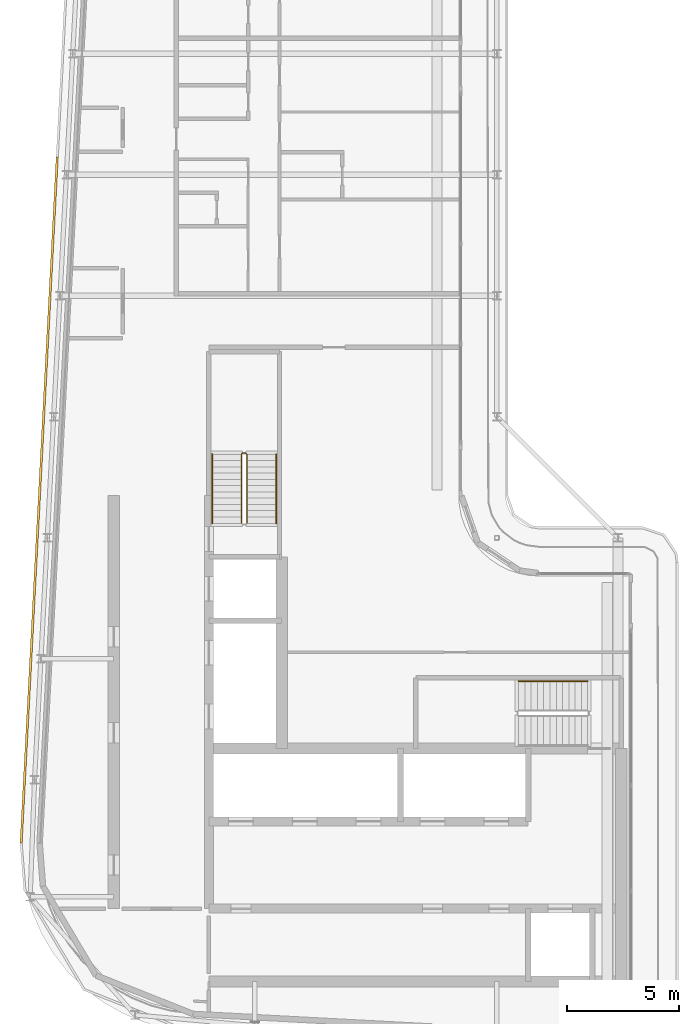
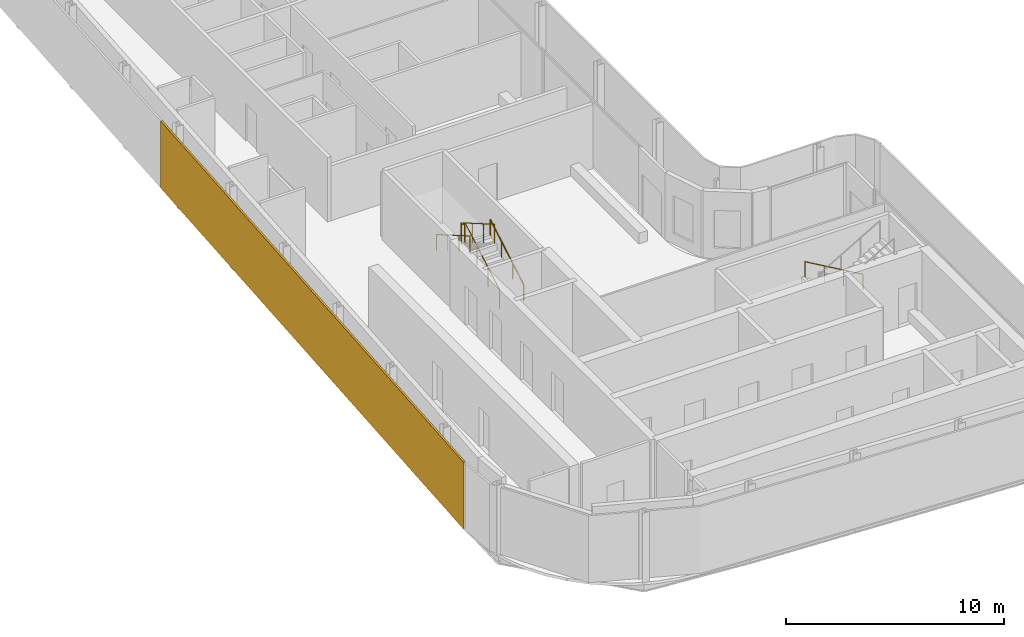
# One storey, part 15 of 19: 4 railings, 1 shading device.
"""IFC4 building model written with IfcOpenShell, lengths in metres."""

from ifc_helpers import new_model, si_unit, direction, frame, origin, origin_2d, place, context, subcontext, project, spatial, rectangle, circle, extrude, material, layer, layer_set, type_object, element, save


model = new_model("IFC4")

# Units and contexts
model_context = context("Model", 3, precision=1e-05, world=origin(), true_north=direction((0.0, 1.0)))
body_context = subcontext(model_context, "Body", "Model", "MODEL_VIEW")
ifc_project = project(units=[si_unit("LENGTHUNIT", "METRE"), si_unit("AREAUNIT", "SQUARE_METRE"), si_unit("VOLUMEUNIT", "CUBIC_METRE"), si_unit("PLANEANGLEUNIT", "RADIAN"), si_unit("MASSUNIT", "GRAM", prefix="KILO")], contexts=[model_context])

# Site, building, storey
site_placement = place(None, origin())
site = spatial("IfcSite", under=ifc_project, at=site_placement, CompositionType="ELEMENT")
building_placement = place(site_placement, origin())
building = spatial("IfcBuilding", under=site, at=building_placement, Name="Kheshtan School and Residences Tower", CompositionType="ELEMENT")
storey_placement = place(building_placement, frame((0.0, 0.0, 350.0)))
storey = spatial("IfcBuildingStorey", under=building, at=storey_placement, Name="L82", CompositionType="ELEMENT", Elevation=350.0)

# Shading device
ifc_material_1 = material(Name="Terracotta baguette, extruded ceramic", Category="masonry")
ifc_layer = layer(ifc_material_1, 0.10009765625)
ifc_layer_set = layer_set([ifc_layer], Name="Ledge screen, terracotta baguettes")
shading_device_type = type_object("IfcShadingDeviceType", Name="Ledge screen, terracotta baguettes", PredefinedType="USERDEFINED", material=ifc_layer_set)
shading_device_placement = place(storey_placement, frame((27.175048828125, 47.2890625, 0.0), z_axis=(0.0, 0.0, 1.0), x_axis=(0.052562536748, 0.998617634398, 0.0)))
element("IfcShadingDevice", 1, at=shading_device_placement, inside=storey, type_object=shading_device_type, Name="Screen L82 4", ObjectType="BAGUETTE", PredefinedType="USERDEFINED", context=body_context, shape_type="SweptSolid", body=[
    extrude(rectangle(XDim=30.636962890625, YDim=0.10009765625, at=origin_2d()), origin(), (0.0, 0.0, 1.0), 3.75),
])

# Railings
ifc_material_2 = material(Name="Stainless steel balustrade", Category="steel")
railing_type_1 = type_object("IfcRailingType", Name="Stair guard 1100", PredefinedType="GUARDRAIL", material=ifc_material_2)
railing_1_placement = place(storey_placement, frame((36.449951171875, 46.25, 0.16259765625)))
element("IfcRailing", 2, at=railing_1_placement, inside=storey, type_object=railing_type_1, Name="L82 ST2 stair guard 1", PredefinedType="GUARDRAIL", context=body_context, shape_type="SweptSolid", body=[
    extrude(circle(Radius=0.02392578125, at=origin_2d()), frame((0.0, 0.0, 1.076171875), z_axis=(0.0, 0.864920483161, 0.501908913857), x_axis=(-1.0, 0.0, 0.0)), (0.0, 0.0, 1.0), 3.56103515625),
    extrude(circle(Radius=0.02392578125, at=origin_2d()), frame((0.0, 3.080078125, 2.86328125), z_axis=(-0.708833529934, 0.705375805398, 0.0), x_axis=(-0.705375805398, -0.708833529934, 0.0)), (0.0, 0.0, 1.0), 0.070556640625),
    extrude(circle(Radius=0.02392578125, at=origin_2d()), frame((-0.050048828125, 3.1298828125, 2.86328125), z_axis=(-1.0, 0.0, 0.0), x_axis=(0.0, -1.0, 0.0)), (0.0, 0.0, 1.0), 0.14990234375),
    extrude(circle(Radius=0.02392578125, at=origin_2d()), frame((-0.199951171875, 3.1298828125, 2.86328125), z_axis=(-0.282336740067, -0.280959487676, 0.917250092119), x_axis=(0.705375805398, -0.708833529934, 0.0)), (0.0, 0.0, 1.0), 0.17724609375),
    extrude(circle(Radius=0.02392578125, at=origin_2d()), frame((-0.25, 3.080078125, 3.02587890625), z_axis=(0.0, -0.864920483161, 0.501908913857), x_axis=(1.0, 0.0, 0.0)), (0.0, 0.0, 1.0), 3.56103515625),
    extrude(circle(Radius=0.02099609375, at=origin_2d()), origin(), (0.0, 0.0, 1.0), 1.052001953125),
    extrude(circle(Radius=0.02099609375, at=origin_2d()), frame((0.0, 1.026611328125, 0.595703125)), (0.0, 0.0, 1.0), 1.052001953125),
    extrude(circle(Radius=0.02099609375, at=origin_2d()), frame((0.0, 2.053466796875, 1.191650390625)), (0.0, 0.0, 1.0), 1.052001953125),
    extrude(circle(Radius=0.02099609375, at=origin_2d()), frame((0.0, 3.080078125, 1.787353515625)), (0.0, 0.0, 1.0), 1.052001953125),
    extrude(circle(Radius=0.02099609375, at=origin_2d()), frame((-0.050048828125, 3.1298828125, 1.787353515625)), (0.0, 0.0, 1.0), 1.052001953125),
    extrude(circle(Radius=0.02099609375, at=origin_2d()), frame((-0.199951171875, 3.1298828125, 1.787353515625)), (0.0, 0.0, 1.0), 1.052001953125),
    extrude(circle(Radius=0.02099609375, at=origin_2d()), frame((-0.25, 3.080078125, 1.949951171875)), (0.0, 0.0, 1.0), 1.052001953125),
    extrude(circle(Radius=0.02099609375, at=origin_2d()), frame((-0.25, 2.053466796875, 2.545654296875)), (0.0, 0.0, 1.0), 1.052001953125),
    extrude(circle(Radius=0.02099609375, at=origin_2d()), frame((-0.25, 1.026611328125, 3.1416015625)), (0.0, 0.0, 1.0), 1.052001953125),
    extrude(circle(Radius=0.02099609375, at=origin_2d()), frame((-0.25, 0.0, 3.7373046875)), (0.0, 0.0, 1.0), 1.052001953125),
])
ifc_material_3 = material(Name="Stainless steel handrail", Category="steel")
railing_type_2 = type_object("IfcRailingType", Name="Stair handrail 900", PredefinedType="HANDRAIL", material=ifc_material_3)
railing_2_placement = place(storey_placement, frame((51.64990234375, 39.199951171875, 0.16259765625)))
element("IfcRailing", 3, at=railing_2_placement, inside=storey, type_object=railing_type_2, Name="L82 ST1 stair handrail 1", PredefinedType="HANDRAIL", context=body_context, shape_type="SweptSolid", body=[
    extrude(circle(Radius=0.02392578125, at=origin_2d()), frame((0.0, 0.0, 0.8759765625), z_axis=(-0.864903211148, 0.0, 0.501938676878), x_axis=(0.0, -1.0, 0.0)), (0.0, 0.0, 1.0), 3.560791015625),
    extrude(circle(Radius=0.02099609375, at=origin_2d()), origin(), (0.0, 0.0, 1.0), 0.851806640625),
    extrude(circle(Radius=0.02099609375, at=origin_2d()), frame((-1.026611328125, 0.0, 0.595703125)), (0.0, 0.0, 1.0), 0.851806640625),
    extrude(circle(Radius=0.02099609375, at=origin_2d()), frame((-2.05322265625, 0.0, 1.191650390625)), (0.0, 0.0, 1.0), 0.851806640625),
    extrude(circle(Radius=0.02099609375, at=origin_2d()), frame((-3.079833984375, 0.0, 1.787353515625)), (0.0, 0.0, 1.0), 0.851806640625),
])
railing_3_placement = place(storey_placement, frame((37.75, 46.25, 0.16259765625)))
element("IfcRailing", 4, at=railing_3_placement, inside=storey, type_object=railing_type_2, Name="L82 ST2 stair handrail 1", PredefinedType="HANDRAIL", context=body_context, shape_type="SweptSolid", body=[
    extrude(circle(Radius=0.02392578125, at=origin_2d()), frame((0.0, 0.0, 0.8759765625), z_axis=(0.0, 0.864920483161, 0.501908913857), x_axis=(-1.0, 0.0, 0.0)), (0.0, 0.0, 1.0), 3.56103515625),
    extrude(circle(Radius=0.02099609375, at=origin_2d()), origin(), (0.0, 0.0, 1.0), 0.851806640625),
    extrude(circle(Radius=0.02099609375, at=origin_2d()), frame((0.0, 1.026611328125, 0.595703125)), (0.0, 0.0, 1.0), 0.851806640625),
    extrude(circle(Radius=0.02099609375, at=origin_2d()), frame((0.0, 2.053466796875, 1.191650390625)), (0.0, 0.0, 1.0), 0.851806640625),
    extrude(circle(Radius=0.02099609375, at=origin_2d()), frame((0.0, 3.080078125, 1.787353515625)), (0.0, 0.0, 1.0), 0.851806640625),
])
railing_4_placement = place(storey_placement, frame((34.89990234375, 49.330078125, 2.112548828125)))
element("IfcRailing", 5, at=railing_4_placement, inside=storey, type_object=railing_type_2, Name="L82 ST2 stair handrail 2", PredefinedType="HANDRAIL", context=body_context, shape_type="SweptSolid", body=[
    extrude(circle(Radius=0.02392578125, at=origin_2d()), frame((0.0, 0.0, 0.8759765625), z_axis=(0.0, -0.864920483161, 0.501908913857), x_axis=(1.0, 0.0, 0.0)), (0.0, 0.0, 1.0), 3.56103515625),
    extrude(circle(Radius=0.02099609375, at=origin_2d()), origin(), (0.0, 0.0, 1.0), 0.851806640625),
    extrude(circle(Radius=0.02099609375, at=origin_2d()), frame((0.0, -1.026611328125, 0.595703125)), (0.0, 0.0, 1.0), 0.851806640625),
    extrude(circle(Radius=0.02099609375, at=origin_2d()), frame((0.0, -2.053466796875, 1.191650390625)), (0.0, 0.0, 1.0), 0.851806640625),
    extrude(circle(Radius=0.02099609375, at=origin_2d()), frame((0.0, -3.080078125, 1.787353515625)), (0.0, 0.0, 1.0), 0.851806640625),
])

save(model, "model.ifc")
